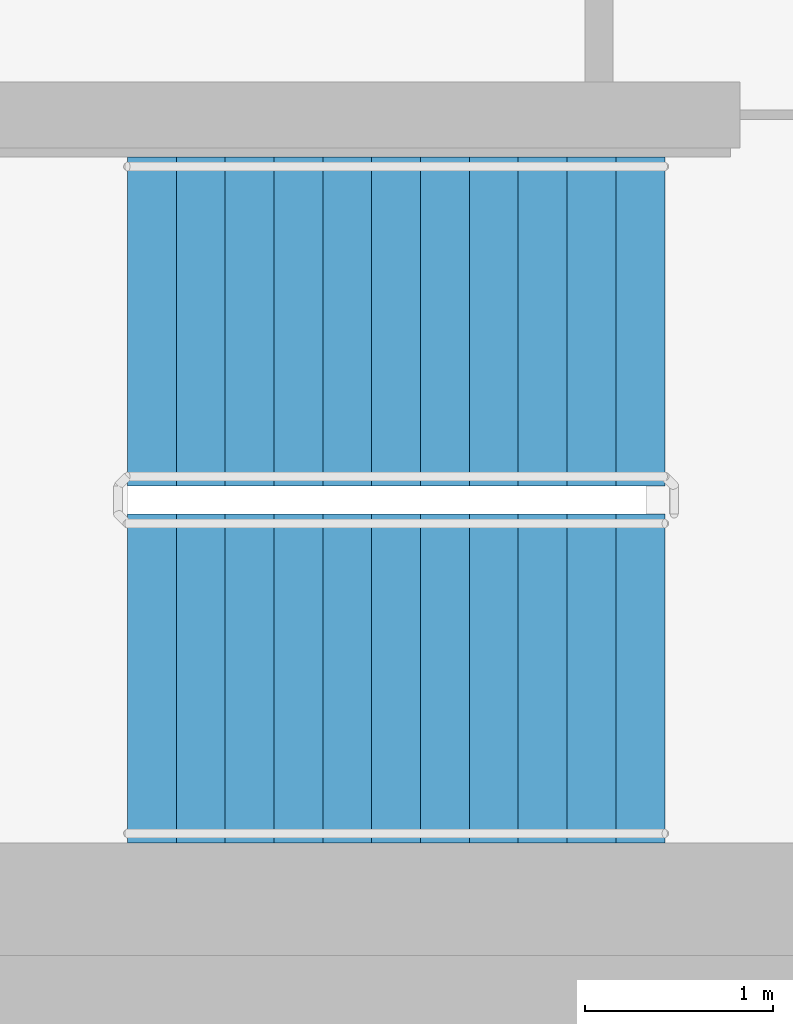
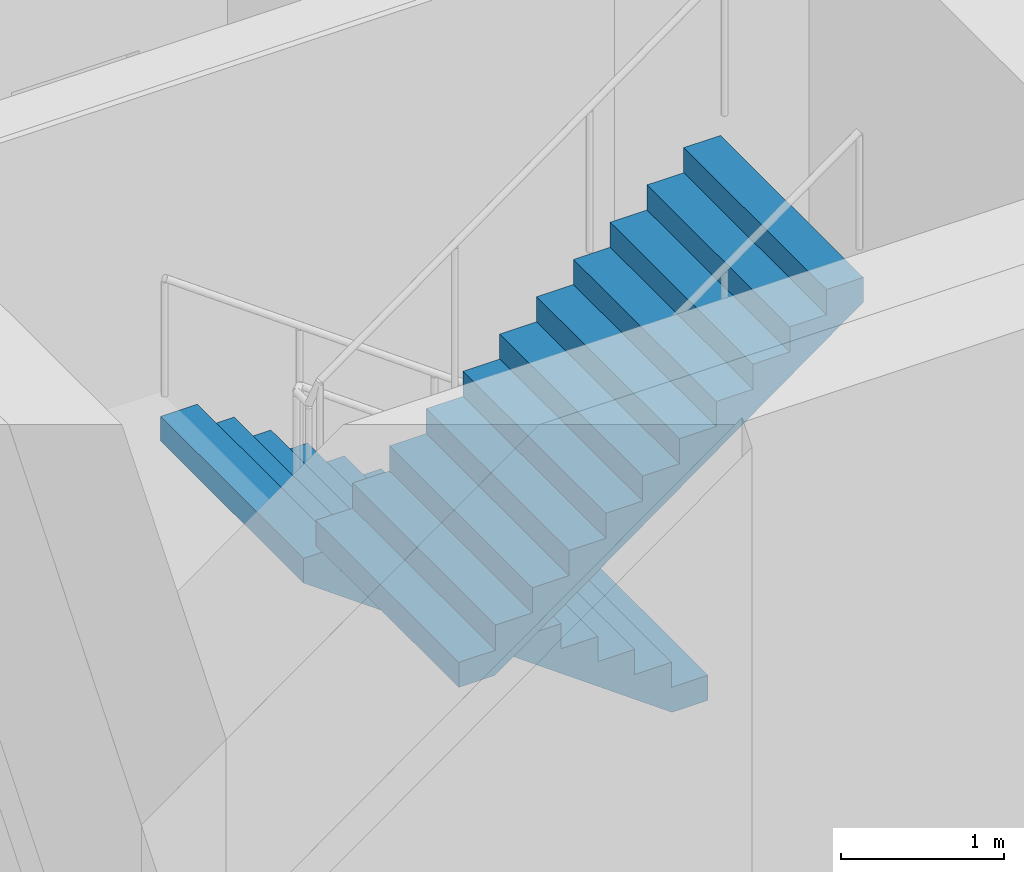
# One storey, part 12 of 19: 2 stair flights, 1 element without a shape of its own.
"""IFC4 building model written with IfcOpenShell, lengths in metres."""

from ifc_helpers import new_model, si_unit, direction, frame, origin, place, context, subcontext, project, spatial, faceted_brep, material, type_object, element, aggregate, save


model = new_model("IFC4")

# Units and contexts
model_context = context("Model", 3, precision=1e-05, world=origin(), true_north=direction((0.0, 1.0)))
body_context = subcontext(model_context, "Body", "Model", "MODEL_VIEW")
ifc_project = project(units=[si_unit("LENGTHUNIT", "METRE"), si_unit("AREAUNIT", "SQUARE_METRE"), si_unit("VOLUMEUNIT", "CUBIC_METRE"), si_unit("PLANEANGLEUNIT", "RADIAN"), si_unit("MASSUNIT", "GRAM", prefix="KILO")], contexts=[model_context])

# Site, building, storey
site_placement = place(None, origin())
site = spatial("IfcSite", under=ifc_project, at=site_placement, CompositionType="ELEMENT")
building_placement = place(site_placement, origin())
building = spatial("IfcBuilding", under=site, at=building_placement, Name="Ipe Terrace Towers", CompositionType="ELEMENT")
storey_placement = place(building_placement, frame((0.0, 0.0, 237.89990234375)))
storey = spatial("IfcBuildingStorey", under=building, at=storey_placement, Name="L66", CompositionType="ELEMENT", Elevation=237.89990234375)

# Stair, stair flights
ifc_material_1 = material(Name="Concrete C30/37", Category="concrete")
stair_type = type_object("IfcStairType", Name="Protected exit stair", PredefinedType="HALF_TURN_STAIR", material=ifc_material_1)
stair_placement = place(storey_placement, origin())
stair = element("IfcStair", 1, at=stair_placement, inside=storey, type_object=stair_type, Name="L66 Exit stair T1-C2", PredefinedType="HALF_TURN_STAIR")
ifc_material_2 = material(Name="Concrete C30/37", Category="concrete")
stair_flight_type = type_object("IfcStairFlightType", Name="Exit stair flight 1750", PredefinedType="STRAIGHT", material=ifc_material_2)
stair_flight_1_placement = place(storey_placement, frame((-45.699951171875, -2.77490234375, 0.0), z_axis=(0.0, 0.0, 1.0), x_axis=(-1.0, 0.0, 0.0)))
stair_flight_1 = element("IfcStairFlight", 2, at=stair_flight_1_placement, type_object=stair_flight_type, Name="T1-ST2 flight 1", NumberOfRisers=12, NumberOfTreads=11, PredefinedType="STRAIGHT", RiserHeight=0.1875, TreadLength=0.26, context=body_context, shape_type="Brep", body=[
    faceted_brep([(0.25634765625, -0.875, 0.0), (2.860107421875, -0.875, 1.877685546875), (2.860107421875, -0.875, 2.0625), (2.60009765625, -0.875, 2.0625), (2.60009765625, -0.875, 1.875), (2.340087890625, -0.875, 1.875), (2.340087890625, -0.875, 1.6875), (2.080078125, -0.875, 1.6875), (2.080078125, -0.875, 1.5), (1.820068359375, -0.875, 1.5), (1.820068359375, -0.875, 1.3125), (1.56005859375, -0.875, 1.3125), (1.56005859375, -0.875, 1.125), (1.300048828125, -0.875, 1.125), (1.300048828125, -0.875, 0.9375), (1.0400390625, -0.875, 0.9375), (1.0400390625, -0.875, 0.75), (0.780029296875, -0.875, 0.75), (0.780029296875, -0.875, 0.5625), (0.52001953125, -0.875, 0.5625), (0.52001953125, -0.875, 0.375), (0.260009765625, -0.875, 0.375), (0.260009765625, -0.875, 0.1875), (0.0, -0.875, 0.1875), (0.0, -0.875, 0.0), (0.0, 0.875, 0.0), (0.0, 0.875, 0.1875), (0.260009765625, 0.875, 0.1875), (0.260009765625, 0.875, 0.375), (0.52001953125, 0.875, 0.375), (0.52001953125, 0.875, 0.5625), (0.780029296875, 0.875, 0.5625), (0.780029296875, 0.875, 0.75), (1.0400390625, 0.875, 0.75), (1.0400390625, 0.875, 0.9375), (1.300048828125, 0.875, 0.9375), (1.300048828125, 0.875, 1.125), (1.56005859375, 0.875, 1.125), (1.56005859375, 0.875, 1.3125), (1.820068359375, 0.875, 1.3125), (1.820068359375, 0.875, 1.5), (2.080078125, 0.875, 1.5), (2.080078125, 0.875, 1.6875), (2.340087890625, 0.875, 1.6875), (2.340087890625, 0.875, 1.875), (2.60009765625, 0.875, 1.875), (2.60009765625, 0.875, 2.0625), (2.860107421875, 0.875, 2.0625), (2.860107421875, 0.875, 1.877685546875), (0.25634765625, 0.875, 0.0), (0.0, -0.300048828125, 0.1875), (0.0, -0.1201171875, 0.1875), (0.0, -0.06005859375, 0.1875), (0.0, -0.030029296875, 0.1875), (0.0, -0.010009765625, 0.1875), (0.0, 0.0, 0.1875), (0.0, 0.010009765625, 0.1875), (0.0, 0.030029296875, 0.1875), (0.0, 0.06005859375, 0.1875), (0.0, 0.1201171875, 0.1875), (0.0, 0.300048828125, 0.1875), (0.0, 0.300048828125, 0.0), (0.0, 0.1201171875, 0.0), (0.0, 0.06005859375, 0.0), (0.0, 0.030029296875, 0.0), (0.0, 0.010009765625, 0.0), (0.0, 0.0, 0.0), (0.0, -0.010009765625, 0.0), (0.0, -0.030029296875, 0.0), (0.0, -0.06005859375, 0.0), (0.0, -0.1201171875, 0.0), (0.0, -0.300048828125, 0.0), (0.260009765625, -0.300048828125, 0.1875), (0.260009765625, -0.1201171875, 0.1875), (0.260009765625, -0.06005859375, 0.1875), (0.260009765625, -0.030029296875, 0.1875), (0.260009765625, -0.010009765625, 0.1875), (0.260009765625, 0.0, 0.1875), (0.260009765625, 0.010009765625, 0.1875), (0.260009765625, 0.030029296875, 0.1875), (0.260009765625, 0.06005859375, 0.1875), (0.260009765625, 0.1201171875, 0.1875), (0.260009765625, 0.300048828125, 0.1875), (0.260009765625, -0.300048828125, 0.375), (0.260009765625, -0.1201171875, 0.375), (0.260009765625, -0.06005859375, 0.375), (0.260009765625, -0.030029296875, 0.375), (0.260009765625, -0.010009765625, 0.375), (0.260009765625, 0.0, 0.375), (0.260009765625, 0.010009765625, 0.375), (0.260009765625, 0.030029296875, 0.375), (0.260009765625, 0.06005859375, 0.375), (0.260009765625, 0.1201171875, 0.375), (0.260009765625, 0.300048828125, 0.375), (0.52001953125, -0.300048828125, 0.375), (0.52001953125, -0.1201171875, 0.375), (0.52001953125, -0.06005859375, 0.375), (0.52001953125, -0.030029296875, 0.375), (0.52001953125, -0.010009765625, 0.375), (0.52001953125, 0.0, 0.375), (0.52001953125, 0.010009765625, 0.375), (0.52001953125, 0.030029296875, 0.375), (0.52001953125, 0.06005859375, 0.375), (0.52001953125, 0.1201171875, 0.375), (0.52001953125, 0.300048828125, 0.375), (0.52001953125, -0.300048828125, 0.5625), (0.52001953125, -0.1201171875, 0.5625), (0.52001953125, -0.06005859375, 0.5625), (0.52001953125, -0.030029296875, 0.5625), (0.52001953125, -0.010009765625, 0.5625), (0.52001953125, 0.0, 0.5625), (0.52001953125, 0.010009765625, 0.5625), (0.52001953125, 0.030029296875, 0.5625), (0.52001953125, 0.06005859375, 0.5625), (0.52001953125, 0.1201171875, 0.5625), (0.52001953125, 0.300048828125, 0.5625), (0.780029296875, -0.300048828125, 0.5625), (0.780029296875, -0.1201171875, 0.5625), (0.780029296875, -0.06005859375, 0.5625), (0.780029296875, -0.030029296875, 0.5625), (0.780029296875, -0.010009765625, 0.5625), (0.780029296875, 0.0, 0.5625), (0.780029296875, 0.010009765625, 0.5625), (0.780029296875, 0.030029296875, 0.5625), (0.780029296875, 0.06005859375, 0.5625), (0.780029296875, 0.1201171875, 0.5625), (0.780029296875, 0.300048828125, 0.5625), (0.780029296875, -0.300048828125, 0.75), (0.780029296875, -0.1201171875, 0.75), (0.780029296875, -0.06005859375, 0.75), (0.780029296875, -0.030029296875, 0.75), (0.780029296875, -0.010009765625, 0.75), (0.780029296875, 0.0, 0.75), (0.780029296875, 0.010009765625, 0.75), (0.780029296875, 0.030029296875, 0.75), (0.780029296875, 0.06005859375, 0.75), (0.780029296875, 0.1201171875, 0.75), (0.780029296875, 0.300048828125, 0.75), (1.0400390625, -0.300048828125, 0.75), (1.0400390625, -0.1201171875, 0.75), (1.0400390625, -0.06005859375, 0.75), (1.0400390625, -0.030029296875, 0.75), (1.0400390625, -0.010009765625, 0.75), (1.0400390625, 0.0, 0.75), (1.0400390625, 0.010009765625, 0.75), (1.0400390625, 0.030029296875, 0.75), (1.0400390625, 0.06005859375, 0.75), (1.0400390625, 0.1201171875, 0.75), (1.0400390625, 0.300048828125, 0.75), (1.0400390625, -0.300048828125, 0.9375), (1.0400390625, -0.1201171875, 0.9375), (1.0400390625, -0.06005859375, 0.9375), (1.0400390625, -0.030029296875, 0.9375), (1.0400390625, -0.010009765625, 0.9375), (1.0400390625, 0.0, 0.9375), (1.0400390625, 0.010009765625, 0.9375), (1.0400390625, 0.030029296875, 0.9375), (1.0400390625, 0.06005859375, 0.9375), (1.0400390625, 0.1201171875, 0.9375), (1.0400390625, 0.300048828125, 0.9375), (1.300048828125, -0.300048828125, 0.9375), (1.300048828125, -0.1201171875, 0.9375), (1.300048828125, -0.06005859375, 0.9375), (1.300048828125, -0.030029296875, 0.9375), (1.300048828125, -0.010009765625, 0.9375), (1.300048828125, 0.0, 0.9375), (1.300048828125, 0.010009765625, 0.9375), (1.300048828125, 0.030029296875, 0.9375), (1.300048828125, 0.06005859375, 0.9375), (1.300048828125, 0.1201171875, 0.9375), (1.300048828125, 0.300048828125, 0.9375), (1.300048828125, -0.300048828125, 1.125), (1.300048828125, -0.1201171875, 1.125), (1.300048828125, -0.06005859375, 1.125), (1.300048828125, -0.030029296875, 1.125), (1.300048828125, -0.010009765625, 1.125), (1.300048828125, 0.0, 1.125), (1.300048828125, 0.010009765625, 1.125), (1.300048828125, 0.030029296875, 1.125), (1.300048828125, 0.06005859375, 1.125), (1.300048828125, 0.1201171875, 1.125), (1.300048828125, 0.300048828125, 1.125), (1.56005859375, -0.300048828125, 1.125), (1.56005859375, -0.1201171875, 1.125), (1.56005859375, -0.06005859375, 1.125), (1.56005859375, -0.030029296875, 1.125), (1.56005859375, -0.010009765625, 1.125), (1.56005859375, 0.0, 1.125), (1.56005859375, 0.010009765625, 1.125), (1.56005859375, 0.030029296875, 1.125), (1.56005859375, 0.06005859375, 1.125), (1.56005859375, 0.1201171875, 1.125), (1.56005859375, 0.300048828125, 1.125), (1.56005859375, -0.300048828125, 1.3125), (1.56005859375, -0.1201171875, 1.3125), (1.56005859375, -0.06005859375, 1.3125), (1.56005859375, -0.030029296875, 1.3125), (1.56005859375, -0.010009765625, 1.3125), (1.56005859375, 0.0, 1.3125), (1.56005859375, 0.010009765625, 1.3125), (1.56005859375, 0.030029296875, 1.3125), (1.56005859375, 0.06005859375, 1.3125), (1.56005859375, 0.1201171875, 1.3125), (1.56005859375, 0.300048828125, 1.3125), (1.820068359375, -0.300048828125, 1.3125), (1.820068359375, -0.1201171875, 1.3125), (1.820068359375, -0.06005859375, 1.3125), (1.820068359375, -0.030029296875, 1.3125), (1.820068359375, -0.010009765625, 1.3125), (1.820068359375, 0.0, 1.3125), (1.820068359375, 0.010009765625, 1.3125), (1.820068359375, 0.030029296875, 1.3125), (1.820068359375, 0.06005859375, 1.3125), (1.820068359375, 0.1201171875, 1.3125), (1.820068359375, 0.300048828125, 1.3125), (1.820068359375, -0.300048828125, 1.5), (1.820068359375, -0.1201171875, 1.5), (1.820068359375, -0.06005859375, 1.5), (1.820068359375, -0.030029296875, 1.5), (1.820068359375, -0.010009765625, 1.5), (1.820068359375, 0.0, 1.5), (1.820068359375, 0.010009765625, 1.5), (1.820068359375, 0.030029296875, 1.5), (1.820068359375, 0.06005859375, 1.5), (1.820068359375, 0.1201171875, 1.5), (1.820068359375, 0.300048828125, 1.5), (2.080078125, -0.300048828125, 1.5), (2.080078125, -0.1201171875, 1.5), (2.080078125, -0.06005859375, 1.5), (2.080078125, -0.030029296875, 1.5), (2.080078125, -0.010009765625, 1.5), (2.080078125, 0.0, 1.5), (2.080078125, 0.010009765625, 1.5), (2.080078125, 0.030029296875, 1.5), (2.080078125, 0.06005859375, 1.5), (2.080078125, 0.1201171875, 1.5), (2.080078125, 0.300048828125, 1.5), (2.080078125, -0.300048828125, 1.6875), (2.080078125, -0.1201171875, 1.6875), (2.080078125, -0.06005859375, 1.6875), (2.080078125, -0.030029296875, 1.6875), (2.080078125, -0.010009765625, 1.6875), (2.080078125, 0.0, 1.6875), (2.080078125, 0.010009765625, 1.6875), (2.080078125, 0.030029296875, 1.6875), (2.080078125, 0.06005859375, 1.6875), (2.080078125, 0.1201171875, 1.6875), (2.080078125, 0.300048828125, 1.6875), (2.340087890625, -0.300048828125, 1.6875), (2.340087890625, -0.1201171875, 1.6875), (2.340087890625, -0.06005859375, 1.6875), (2.340087890625, -0.030029296875, 1.6875), (2.340087890625, -0.010009765625, 1.6875), (2.340087890625, 0.0, 1.6875), (2.340087890625, 0.010009765625, 1.6875), (2.340087890625, 0.030029296875, 1.6875), (2.340087890625, 0.06005859375, 1.6875), (2.340087890625, 0.1201171875, 1.6875), (2.340087890625, 0.300048828125, 1.6875), (2.340087890625, -0.300048828125, 1.875), (2.340087890625, -0.1201171875, 1.875), (2.340087890625, -0.06005859375, 1.875), (2.340087890625, -0.030029296875, 1.875), (2.340087890625, -0.010009765625, 1.875), (2.340087890625, 0.0, 1.875), (2.340087890625, 0.010009765625, 1.875), (2.340087890625, 0.030029296875, 1.875), (2.340087890625, 0.06005859375, 1.875), (2.340087890625, 0.1201171875, 1.875), (2.340087890625, 0.300048828125, 1.875), (2.60009765625, -0.300048828125, 1.875), (2.60009765625, -0.1201171875, 1.875), (2.60009765625, -0.06005859375, 1.875), (2.60009765625, -0.030029296875, 1.875), (2.60009765625, -0.010009765625, 1.875), (2.60009765625, 0.0, 1.875), (2.60009765625, 0.010009765625, 1.875), (2.60009765625, 0.030029296875, 1.875), (2.60009765625, 0.06005859375, 1.875), (2.60009765625, 0.1201171875, 1.875), (2.60009765625, 0.300048828125, 1.875), (2.60009765625, -0.300048828125, 2.0625), (2.60009765625, -0.1201171875, 2.0625), (2.60009765625, -0.06005859375, 2.0625), (2.60009765625, -0.030029296875, 2.0625), (2.60009765625, -0.010009765625, 2.0625), (2.60009765625, 0.0, 2.0625), (2.60009765625, 0.010009765625, 2.0625), (2.60009765625, 0.030029296875, 2.0625), (2.60009765625, 0.06005859375, 2.0625), (2.60009765625, 0.1201171875, 2.0625), (2.60009765625, 0.300048828125, 2.0625), (2.860107421875, -0.300048828125, 2.0625), (2.860107421875, -0.1201171875, 2.0625), (2.860107421875, -0.06005859375, 2.0625), (2.860107421875, -0.030029296875, 2.0625), (2.860107421875, -0.010009765625, 2.0625), (2.860107421875, 0.0, 2.0625), (2.860107421875, 0.010009765625, 2.0625), (2.860107421875, 0.030029296875, 2.0625), (2.860107421875, 0.06005859375, 2.0625), (2.860107421875, 0.1201171875, 2.0625), (2.860107421875, 0.300048828125, 2.0625), (2.860107421875, -0.300048828125, 1.877685546875), (2.860107421875, -0.1201171875, 1.877685546875), (2.860107421875, -0.06005859375, 1.877685546875), (2.860107421875, -0.030029296875, 1.877685546875), (2.860107421875, -0.010009765625, 1.877685546875), (2.860107421875, 0.0, 1.877685546875), (2.860107421875, 0.010009765625, 1.877685546875), (2.860107421875, 0.030029296875, 1.877685546875), (2.860107421875, 0.06005859375, 1.877685546875), (2.860107421875, 0.1201171875, 1.877685546875), (2.860107421875, 0.300048828125, 1.877685546875), (0.25634765625, -0.300048828125, 0.0), (0.25634765625, -0.1201171875, 0.0), (0.25634765625, -0.06005859375, 0.0), (0.25634765625, -0.030029296875, 0.0), (0.25634765625, -0.010009765625, 0.0), (0.25634765625, 0.0, 0.0), (0.25634765625, 0.010009765625, 0.0), (0.25634765625, 0.030029296875, 0.0), (0.25634765625, 0.06005859375, 0.0), (0.25634765625, 0.1201171875, 0.0), (0.25634765625, 0.300048828125, 0.0)], [[[0, 1, 2, 3, 4, 5, 6, 7, 8, 9, 10, 11, 12, 13, 14, 15, 16, 17, 18, 19, 20, 21, 22, 23, 24]], [[25, 26, 27, 28, 29, 30, 31, 32, 33, 34, 35, 36, 37, 38, 39, 40, 41, 42, 43, 44, 45, 46, 47, 48, 49]], [[23, 50, 51, 52, 53, 54, 55, 56, 57, 58, 59, 60, 26, 25, 61, 62, 63, 64, 65, 66, 67, 68, 69, 70, 71, 24]], [[22, 72, 73, 74, 75, 76, 77, 78, 79, 80, 81, 82, 27, 26, 60, 59, 58, 57, 56, 55, 54, 53, 52, 51, 50, 23]], [[21, 83, 84, 85, 86, 87, 88, 89, 90, 91, 92, 93, 28, 27, 82, 81, 80, 79, 78, 77, 76, 75, 74, 73, 72, 22]], [[20, 94, 95, 96, 97, 98, 99, 100, 101, 102, 103, 104, 29, 28, 93, 92, 91, 90, 89, 88, 87, 86, 85, 84, 83, 21]], [[19, 105, 106, 107, 108, 109, 110, 111, 112, 113, 114, 115, 30, 29, 104, 103, 102, 101, 100, 99, 98, 97, 96, 95, 94, 20]], [[18, 116, 117, 118, 119, 120, 121, 122, 123, 124, 125, 126, 31, 30, 115, 114, 113, 112, 111, 110, 109, 108, 107, 106, 105, 19]], [[17, 127, 128, 129, 130, 131, 132, 133, 134, 135, 136, 137, 32, 31, 126, 125, 124, 123, 122, 121, 120, 119, 118, 117, 116, 18]], [[16, 138, 139, 140, 141, 142, 143, 144, 145, 146, 147, 148, 33, 32, 137, 136, 135, 134, 133, 132, 131, 130, 129, 128, 127, 17]], [[15, 149, 150, 151, 152, 153, 154, 155, 156, 157, 158, 159, 34, 33, 148, 147, 146, 145, 144, 143, 142, 141, 140, 139, 138, 16]], [[14, 160, 161, 162, 163, 164, 165, 166, 167, 168, 169, 170, 35, 34, 159, 158, 157, 156, 155, 154, 153, 152, 151, 150, 149, 15]], [[13, 171, 172, 173, 174, 175, 176, 177, 178, 179, 180, 181, 36, 35, 170, 169, 168, 167, 166, 165, 164, 163, 162, 161, 160, 14]], [[12, 182, 183, 184, 185, 186, 187, 188, 189, 190, 191, 192, 37, 36, 181, 180, 179, 178, 177, 176, 175, 174, 173, 172, 171, 13]], [[11, 193, 194, 195, 196, 197, 198, 199, 200, 201, 202, 203, 38, 37, 192, 191, 190, 189, 188, 187, 186, 185, 184, 183, 182, 12]], [[10, 204, 205, 206, 207, 208, 209, 210, 211, 212, 213, 214, 39, 38, 203, 202, 201, 200, 199, 198, 197, 196, 195, 194, 193, 11]], [[9, 215, 216, 217, 218, 219, 220, 221, 222, 223, 224, 225, 40, 39, 214, 213, 212, 211, 210, 209, 208, 207, 206, 205, 204, 10]], [[8, 226, 227, 228, 229, 230, 231, 232, 233, 234, 235, 236, 41, 40, 225, 224, 223, 222, 221, 220, 219, 218, 217, 216, 215, 9]], [[7, 237, 238, 239, 240, 241, 242, 243, 244, 245, 246, 247, 42, 41, 236, 235, 234, 233, 232, 231, 230, 229, 228, 227, 226, 8]], [[6, 248, 249, 250, 251, 252, 253, 254, 255, 256, 257, 258, 43, 42, 247, 246, 245, 244, 243, 242, 241, 240, 239, 238, 237, 7]], [[5, 259, 260, 261, 262, 263, 264, 265, 266, 267, 268, 269, 44, 43, 258, 257, 256, 255, 254, 253, 252, 251, 250, 249, 248, 6]], [[4, 270, 271, 272, 273, 274, 275, 276, 277, 278, 279, 280, 45, 44, 269, 268, 267, 266, 265, 264, 263, 262, 261, 260, 259, 5]], [[3, 281, 282, 283, 284, 285, 286, 287, 288, 289, 290, 291, 46, 45, 280, 279, 278, 277, 276, 275, 274, 273, 272, 271, 270, 4]], [[2, 292, 293, 294, 295, 296, 297, 298, 299, 300, 301, 302, 47, 46, 291, 290, 289, 288, 287, 286, 285, 284, 283, 282, 281, 3]], [[1, 303, 304, 305, 306, 307, 308, 309, 310, 311, 312, 313, 48, 47, 302, 301, 300, 299, 298, 297, 296, 295, 294, 293, 292, 2]], [[0, 314, 315, 316, 317, 318, 319, 320, 321, 322, 323, 324, 49, 48, 313, 312, 311, 310, 309, 308, 307, 306, 305, 304, 303, 1]], [[24, 71, 70, 69, 68, 67, 66, 65, 64, 63, 62, 61, 25, 49, 324, 323, 322, 321, 320, 319, 318, 317, 316, 315, 314, 0]]]),
])
stair_flight_2_placement = place(storey_placement, frame((-48.56005859375, -4.675048828125, 2.25), z_axis=(0.0, 0.0, 1.0), x_axis=(1.0, 0.0, 0.0)))
stair_flight_2 = element("IfcStairFlight", 3, at=stair_flight_2_placement, type_object=stair_flight_type, Name="T1-ST2 flight 2", NumberOfRisers=12, NumberOfTreads=11, PredefinedType="STRAIGHT", RiserHeight=0.1875, TreadLength=0.26, context=body_context, shape_type="Brep", body=[
    faceted_brep([(0.25634765625, -0.875, 0.0), (2.860107421875, -0.875, 1.877685546875), (2.860107421875, -0.875, 2.0625), (2.60009765625, -0.875, 2.0625), (2.60009765625, -0.875, 1.875), (2.340087890625, -0.875, 1.875), (2.340087890625, -0.875, 1.6875), (2.080078125, -0.875, 1.6875), (2.080078125, -0.875, 1.5), (1.820068359375, -0.875, 1.5), (1.820068359375, -0.875, 1.3125), (1.56005859375, -0.875, 1.3125), (1.56005859375, -0.875, 1.125), (1.300048828125, -0.875, 1.125), (1.300048828125, -0.875, 0.9375), (1.0400390625, -0.875, 0.9375), (1.0400390625, -0.875, 0.75), (0.780029296875, -0.875, 0.75), (0.780029296875, -0.875, 0.5625), (0.52001953125, -0.875, 0.5625), (0.52001953125, -0.875, 0.375), (0.260009765625, -0.875, 0.375), (0.260009765625, -0.875, 0.1875), (0.0, -0.875, 0.1875), (0.0, -0.875, 0.0), (0.0, 0.875, 0.0), (0.0, 0.875, 0.1875), (0.260009765625, 0.875, 0.1875), (0.260009765625, 0.875, 0.375), (0.52001953125, 0.875, 0.375), (0.52001953125, 0.875, 0.5625), (0.780029296875, 0.875, 0.5625), (0.780029296875, 0.875, 0.75), (1.0400390625, 0.875, 0.75), (1.0400390625, 0.875, 0.9375), (1.300048828125, 0.875, 0.9375), (1.300048828125, 0.875, 1.125), (1.56005859375, 0.875, 1.125), (1.56005859375, 0.875, 1.3125), (1.820068359375, 0.875, 1.3125), (1.820068359375, 0.875, 1.5), (2.080078125, 0.875, 1.5), (2.080078125, 0.875, 1.6875), (2.340087890625, 0.875, 1.6875), (2.340087890625, 0.875, 1.875), (2.60009765625, 0.875, 1.875), (2.60009765625, 0.875, 2.0625), (2.860107421875, 0.875, 2.0625), (2.860107421875, 0.875, 1.877685546875), (0.25634765625, 0.875, 0.0), (0.0, -0.300048828125, 0.1875), (0.0, -0.1201171875, 0.1875), (0.0, -0.06005859375, 0.1875), (0.0, -0.030029296875, 0.1875), (0.0, -0.010009765625, 0.1875), (0.0, 0.0, 0.1875), (0.0, 0.010009765625, 0.1875), (0.0, 0.030029296875, 0.1875), (0.0, 0.06005859375, 0.1875), (0.0, 0.1201171875, 0.1875), (0.0, 0.300048828125, 0.1875), (0.0, 0.300048828125, 0.0), (0.0, 0.1201171875, 0.0), (0.0, 0.06005859375, 0.0), (0.0, 0.030029296875, 0.0), (0.0, 0.010009765625, 0.0), (0.0, 0.0, 0.0), (0.0, -0.010009765625, 0.0), (0.0, -0.030029296875, 0.0), (0.0, -0.06005859375, 0.0), (0.0, -0.1201171875, 0.0), (0.0, -0.300048828125, 0.0), (0.260009765625, -0.300048828125, 0.1875), (0.260009765625, -0.1201171875, 0.1875), (0.260009765625, -0.06005859375, 0.1875), (0.260009765625, -0.030029296875, 0.1875), (0.260009765625, -0.010009765625, 0.1875), (0.260009765625, 0.0, 0.1875), (0.260009765625, 0.010009765625, 0.1875), (0.260009765625, 0.030029296875, 0.1875), (0.260009765625, 0.06005859375, 0.1875), (0.260009765625, 0.1201171875, 0.1875), (0.260009765625, 0.300048828125, 0.1875), (0.260009765625, -0.300048828125, 0.375), (0.260009765625, -0.1201171875, 0.375), (0.260009765625, -0.06005859375, 0.375), (0.260009765625, -0.030029296875, 0.375), (0.260009765625, -0.010009765625, 0.375), (0.260009765625, 0.0, 0.375), (0.260009765625, 0.010009765625, 0.375), (0.260009765625, 0.030029296875, 0.375), (0.260009765625, 0.06005859375, 0.375), (0.260009765625, 0.1201171875, 0.375), (0.260009765625, 0.300048828125, 0.375), (0.52001953125, -0.300048828125, 0.375), (0.52001953125, -0.1201171875, 0.375), (0.52001953125, -0.06005859375, 0.375), (0.52001953125, -0.030029296875, 0.375), (0.52001953125, -0.010009765625, 0.375), (0.52001953125, 0.0, 0.375), (0.52001953125, 0.010009765625, 0.375), (0.52001953125, 0.030029296875, 0.375), (0.52001953125, 0.06005859375, 0.375), (0.52001953125, 0.1201171875, 0.375), (0.52001953125, 0.300048828125, 0.375), (0.52001953125, -0.300048828125, 0.5625), (0.52001953125, -0.1201171875, 0.5625), (0.52001953125, -0.06005859375, 0.5625), (0.52001953125, -0.030029296875, 0.5625), (0.52001953125, -0.010009765625, 0.5625), (0.52001953125, 0.0, 0.5625), (0.52001953125, 0.010009765625, 0.5625), (0.52001953125, 0.030029296875, 0.5625), (0.52001953125, 0.06005859375, 0.5625), (0.52001953125, 0.1201171875, 0.5625), (0.52001953125, 0.300048828125, 0.5625), (0.780029296875, -0.300048828125, 0.5625), (0.780029296875, -0.1201171875, 0.5625), (0.780029296875, -0.06005859375, 0.5625), (0.780029296875, -0.030029296875, 0.5625), (0.780029296875, -0.010009765625, 0.5625), (0.780029296875, 0.0, 0.5625), (0.780029296875, 0.010009765625, 0.5625), (0.780029296875, 0.030029296875, 0.5625), (0.780029296875, 0.06005859375, 0.5625), (0.780029296875, 0.1201171875, 0.5625), (0.780029296875, 0.300048828125, 0.5625), (0.780029296875, -0.300048828125, 0.75), (0.780029296875, -0.1201171875, 0.75), (0.780029296875, -0.06005859375, 0.75), (0.780029296875, -0.030029296875, 0.75), (0.780029296875, -0.010009765625, 0.75), (0.780029296875, 0.0, 0.75), (0.780029296875, 0.010009765625, 0.75), (0.780029296875, 0.030029296875, 0.75), (0.780029296875, 0.06005859375, 0.75), (0.780029296875, 0.1201171875, 0.75), (0.780029296875, 0.300048828125, 0.75), (1.0400390625, -0.300048828125, 0.75), (1.0400390625, -0.1201171875, 0.75), (1.0400390625, -0.06005859375, 0.75), (1.0400390625, -0.030029296875, 0.75), (1.0400390625, -0.010009765625, 0.75), (1.0400390625, 0.0, 0.75), (1.0400390625, 0.010009765625, 0.75), (1.0400390625, 0.030029296875, 0.75), (1.0400390625, 0.06005859375, 0.75), (1.0400390625, 0.1201171875, 0.75), (1.0400390625, 0.300048828125, 0.75), (1.0400390625, -0.300048828125, 0.9375), (1.0400390625, -0.1201171875, 0.9375), (1.0400390625, -0.06005859375, 0.9375), (1.0400390625, -0.030029296875, 0.9375), (1.0400390625, -0.010009765625, 0.9375), (1.0400390625, 0.0, 0.9375), (1.0400390625, 0.010009765625, 0.9375), (1.0400390625, 0.030029296875, 0.9375), (1.0400390625, 0.06005859375, 0.9375), (1.0400390625, 0.1201171875, 0.9375), (1.0400390625, 0.300048828125, 0.9375), (1.300048828125, -0.300048828125, 0.9375), (1.300048828125, -0.1201171875, 0.9375), (1.300048828125, -0.06005859375, 0.9375), (1.300048828125, -0.030029296875, 0.9375), (1.300048828125, -0.010009765625, 0.9375), (1.300048828125, 0.0, 0.9375), (1.300048828125, 0.010009765625, 0.9375), (1.300048828125, 0.030029296875, 0.9375), (1.300048828125, 0.06005859375, 0.9375), (1.300048828125, 0.1201171875, 0.9375), (1.300048828125, 0.300048828125, 0.9375), (1.300048828125, -0.300048828125, 1.125), (1.300048828125, -0.1201171875, 1.125), (1.300048828125, -0.06005859375, 1.125), (1.300048828125, -0.030029296875, 1.125), (1.300048828125, -0.010009765625, 1.125), (1.300048828125, 0.0, 1.125), (1.300048828125, 0.010009765625, 1.125), (1.300048828125, 0.030029296875, 1.125), (1.300048828125, 0.06005859375, 1.125), (1.300048828125, 0.1201171875, 1.125), (1.300048828125, 0.300048828125, 1.125), (1.56005859375, -0.300048828125, 1.125), (1.56005859375, -0.1201171875, 1.125), (1.56005859375, -0.06005859375, 1.125), (1.56005859375, -0.030029296875, 1.125), (1.56005859375, -0.010009765625, 1.125), (1.56005859375, 0.0, 1.125), (1.56005859375, 0.010009765625, 1.125), (1.56005859375, 0.030029296875, 1.125), (1.56005859375, 0.06005859375, 1.125), (1.56005859375, 0.1201171875, 1.125), (1.56005859375, 0.300048828125, 1.125), (1.56005859375, -0.300048828125, 1.3125), (1.56005859375, -0.1201171875, 1.3125), (1.56005859375, -0.06005859375, 1.3125), (1.56005859375, -0.030029296875, 1.3125), (1.56005859375, -0.010009765625, 1.3125), (1.56005859375, 0.0, 1.3125), (1.56005859375, 0.010009765625, 1.3125), (1.56005859375, 0.030029296875, 1.3125), (1.56005859375, 0.06005859375, 1.3125), (1.56005859375, 0.1201171875, 1.3125), (1.56005859375, 0.300048828125, 1.3125), (1.820068359375, -0.300048828125, 1.3125), (1.820068359375, -0.1201171875, 1.3125), (1.820068359375, -0.06005859375, 1.3125), (1.820068359375, -0.030029296875, 1.3125), (1.820068359375, -0.010009765625, 1.3125), (1.820068359375, 0.0, 1.3125), (1.820068359375, 0.010009765625, 1.3125), (1.820068359375, 0.030029296875, 1.3125), (1.820068359375, 0.06005859375, 1.3125), (1.820068359375, 0.1201171875, 1.3125), (1.820068359375, 0.300048828125, 1.3125), (1.820068359375, -0.300048828125, 1.5), (1.820068359375, -0.1201171875, 1.5), (1.820068359375, -0.06005859375, 1.5), (1.820068359375, -0.030029296875, 1.5), (1.820068359375, -0.010009765625, 1.5), (1.820068359375, 0.0, 1.5), (1.820068359375, 0.010009765625, 1.5), (1.820068359375, 0.030029296875, 1.5), (1.820068359375, 0.06005859375, 1.5), (1.820068359375, 0.1201171875, 1.5), (1.820068359375, 0.300048828125, 1.5), (2.080078125, -0.300048828125, 1.5), (2.080078125, -0.1201171875, 1.5), (2.080078125, -0.06005859375, 1.5), (2.080078125, -0.030029296875, 1.5), (2.080078125, -0.010009765625, 1.5), (2.080078125, 0.0, 1.5), (2.080078125, 0.010009765625, 1.5), (2.080078125, 0.030029296875, 1.5), (2.080078125, 0.06005859375, 1.5), (2.080078125, 0.1201171875, 1.5), (2.080078125, 0.300048828125, 1.5), (2.080078125, -0.300048828125, 1.6875), (2.080078125, -0.1201171875, 1.6875), (2.080078125, -0.06005859375, 1.6875), (2.080078125, -0.030029296875, 1.6875), (2.080078125, -0.010009765625, 1.6875), (2.080078125, 0.0, 1.6875), (2.080078125, 0.010009765625, 1.6875), (2.080078125, 0.030029296875, 1.6875), (2.080078125, 0.06005859375, 1.6875), (2.080078125, 0.1201171875, 1.6875), (2.080078125, 0.300048828125, 1.6875), (2.340087890625, -0.300048828125, 1.6875), (2.340087890625, -0.1201171875, 1.6875), (2.340087890625, -0.06005859375, 1.6875), (2.340087890625, -0.030029296875, 1.6875), (2.340087890625, -0.010009765625, 1.6875), (2.340087890625, 0.0, 1.6875), (2.340087890625, 0.010009765625, 1.6875), (2.340087890625, 0.030029296875, 1.6875), (2.340087890625, 0.06005859375, 1.6875), (2.340087890625, 0.1201171875, 1.6875), (2.340087890625, 0.300048828125, 1.6875), (2.340087890625, -0.300048828125, 1.875), (2.340087890625, -0.1201171875, 1.875), (2.340087890625, -0.06005859375, 1.875), (2.340087890625, -0.030029296875, 1.875), (2.340087890625, -0.010009765625, 1.875), (2.340087890625, 0.0, 1.875), (2.340087890625, 0.010009765625, 1.875), (2.340087890625, 0.030029296875, 1.875), (2.340087890625, 0.06005859375, 1.875), (2.340087890625, 0.1201171875, 1.875), (2.340087890625, 0.300048828125, 1.875), (2.60009765625, -0.300048828125, 1.875), (2.60009765625, -0.1201171875, 1.875), (2.60009765625, -0.06005859375, 1.875), (2.60009765625, -0.030029296875, 1.875), (2.60009765625, -0.010009765625, 1.875), (2.60009765625, 0.0, 1.875), (2.60009765625, 0.010009765625, 1.875), (2.60009765625, 0.030029296875, 1.875), (2.60009765625, 0.06005859375, 1.875), (2.60009765625, 0.1201171875, 1.875), (2.60009765625, 0.300048828125, 1.875), (2.60009765625, -0.300048828125, 2.0625), (2.60009765625, -0.1201171875, 2.0625), (2.60009765625, -0.06005859375, 2.0625), (2.60009765625, -0.030029296875, 2.0625), (2.60009765625, -0.010009765625, 2.0625), (2.60009765625, 0.0, 2.0625), (2.60009765625, 0.010009765625, 2.0625), (2.60009765625, 0.030029296875, 2.0625), (2.60009765625, 0.06005859375, 2.0625), (2.60009765625, 0.1201171875, 2.0625), (2.60009765625, 0.300048828125, 2.0625), (2.860107421875, -0.300048828125, 2.0625), (2.860107421875, -0.1201171875, 2.0625), (2.860107421875, -0.06005859375, 2.0625), (2.860107421875, -0.030029296875, 2.0625), (2.860107421875, -0.010009765625, 2.0625), (2.860107421875, 0.0, 2.0625), (2.860107421875, 0.010009765625, 2.0625), (2.860107421875, 0.030029296875, 2.0625), (2.860107421875, 0.06005859375, 2.0625), (2.860107421875, 0.1201171875, 2.0625), (2.860107421875, 0.300048828125, 2.0625), (2.860107421875, -0.300048828125, 1.877685546875), (2.860107421875, -0.1201171875, 1.877685546875), (2.860107421875, -0.06005859375, 1.877685546875), (2.860107421875, -0.030029296875, 1.877685546875), (2.860107421875, -0.010009765625, 1.877685546875), (2.860107421875, 0.0, 1.877685546875), (2.860107421875, 0.010009765625, 1.877685546875), (2.860107421875, 0.030029296875, 1.877685546875), (2.860107421875, 0.06005859375, 1.877685546875), (2.860107421875, 0.1201171875, 1.877685546875), (2.860107421875, 0.300048828125, 1.877685546875), (0.25634765625, -0.300048828125, 0.0), (0.25634765625, -0.1201171875, 0.0), (0.25634765625, -0.06005859375, 0.0), (0.25634765625, -0.030029296875, 0.0), (0.25634765625, -0.010009765625, 0.0), (0.25634765625, 0.0, 0.0), (0.25634765625, 0.010009765625, 0.0), (0.25634765625, 0.030029296875, 0.0), (0.25634765625, 0.06005859375, 0.0), (0.25634765625, 0.1201171875, 0.0), (0.25634765625, 0.300048828125, 0.0)], [[[0, 1, 2, 3, 4, 5, 6, 7, 8, 9, 10, 11, 12, 13, 14, 15, 16, 17, 18, 19, 20, 21, 22, 23, 24]], [[25, 26, 27, 28, 29, 30, 31, 32, 33, 34, 35, 36, 37, 38, 39, 40, 41, 42, 43, 44, 45, 46, 47, 48, 49]], [[23, 50, 51, 52, 53, 54, 55, 56, 57, 58, 59, 60, 26, 25, 61, 62, 63, 64, 65, 66, 67, 68, 69, 70, 71, 24]], [[22, 72, 73, 74, 75, 76, 77, 78, 79, 80, 81, 82, 27, 26, 60, 59, 58, 57, 56, 55, 54, 53, 52, 51, 50, 23]], [[21, 83, 84, 85, 86, 87, 88, 89, 90, 91, 92, 93, 28, 27, 82, 81, 80, 79, 78, 77, 76, 75, 74, 73, 72, 22]], [[20, 94, 95, 96, 97, 98, 99, 100, 101, 102, 103, 104, 29, 28, 93, 92, 91, 90, 89, 88, 87, 86, 85, 84, 83, 21]], [[19, 105, 106, 107, 108, 109, 110, 111, 112, 113, 114, 115, 30, 29, 104, 103, 102, 101, 100, 99, 98, 97, 96, 95, 94, 20]], [[18, 116, 117, 118, 119, 120, 121, 122, 123, 124, 125, 126, 31, 30, 115, 114, 113, 112, 111, 110, 109, 108, 107, 106, 105, 19]], [[17, 127, 128, 129, 130, 131, 132, 133, 134, 135, 136, 137, 32, 31, 126, 125, 124, 123, 122, 121, 120, 119, 118, 117, 116, 18]], [[16, 138, 139, 140, 141, 142, 143, 144, 145, 146, 147, 148, 33, 32, 137, 136, 135, 134, 133, 132, 131, 130, 129, 128, 127, 17]], [[15, 149, 150, 151, 152, 153, 154, 155, 156, 157, 158, 159, 34, 33, 148, 147, 146, 145, 144, 143, 142, 141, 140, 139, 138, 16]], [[14, 160, 161, 162, 163, 164, 165, 166, 167, 168, 169, 170, 35, 34, 159, 158, 157, 156, 155, 154, 153, 152, 151, 150, 149, 15]], [[13, 171, 172, 173, 174, 175, 176, 177, 178, 179, 180, 181, 36, 35, 170, 169, 168, 167, 166, 165, 164, 163, 162, 161, 160, 14]], [[12, 182, 183, 184, 185, 186, 187, 188, 189, 190, 191, 192, 37, 36, 181, 180, 179, 178, 177, 176, 175, 174, 173, 172, 171, 13]], [[11, 193, 194, 195, 196, 197, 198, 199, 200, 201, 202, 203, 38, 37, 192, 191, 190, 189, 188, 187, 186, 185, 184, 183, 182, 12]], [[10, 204, 205, 206, 207, 208, 209, 210, 211, 212, 213, 214, 39, 38, 203, 202, 201, 200, 199, 198, 197, 196, 195, 194, 193, 11]], [[9, 215, 216, 217, 218, 219, 220, 221, 222, 223, 224, 225, 40, 39, 214, 213, 212, 211, 210, 209, 208, 207, 206, 205, 204, 10]], [[8, 226, 227, 228, 229, 230, 231, 232, 233, 234, 235, 236, 41, 40, 225, 224, 223, 222, 221, 220, 219, 218, 217, 216, 215, 9]], [[7, 237, 238, 239, 240, 241, 242, 243, 244, 245, 246, 247, 42, 41, 236, 235, 234, 233, 232, 231, 230, 229, 228, 227, 226, 8]], [[6, 248, 249, 250, 251, 252, 253, 254, 255, 256, 257, 258, 43, 42, 247, 246, 245, 244, 243, 242, 241, 240, 239, 238, 237, 7]], [[5, 259, 260, 261, 262, 263, 264, 265, 266, 267, 268, 269, 44, 43, 258, 257, 256, 255, 254, 253, 252, 251, 250, 249, 248, 6]], [[4, 270, 271, 272, 273, 274, 275, 276, 277, 278, 279, 280, 45, 44, 269, 268, 267, 266, 265, 264, 263, 262, 261, 260, 259, 5]], [[3, 281, 282, 283, 284, 285, 286, 287, 288, 289, 290, 291, 46, 45, 280, 279, 278, 277, 276, 275, 274, 273, 272, 271, 270, 4]], [[2, 292, 293, 294, 295, 296, 297, 298, 299, 300, 301, 302, 47, 46, 291, 290, 289, 288, 287, 286, 285, 284, 283, 282, 281, 3]], [[1, 303, 304, 305, 306, 307, 308, 309, 310, 311, 312, 313, 48, 47, 302, 301, 300, 299, 298, 297, 296, 295, 294, 293, 292, 2]], [[0, 314, 315, 316, 317, 318, 319, 320, 321, 322, 323, 324, 49, 48, 313, 312, 311, 310, 309, 308, 307, 306, 305, 304, 303, 1]], [[24, 71, 70, 69, 68, 67, 66, 65, 64, 63, 62, 61, 25, 49, 324, 323, 322, 321, 320, 319, 318, 317, 316, 315, 314, 0]]]),
])
aggregate(stair, [stair_flight_1, stair_flight_2])

save(model, "model.ifc")
